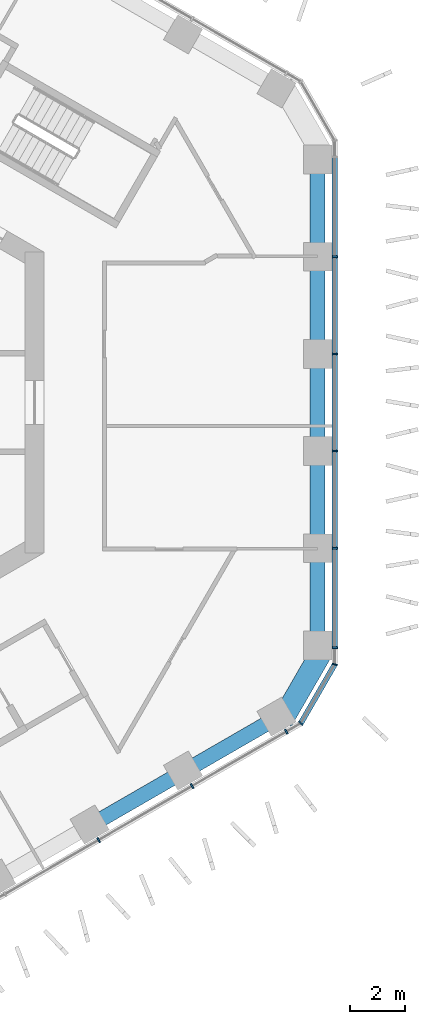
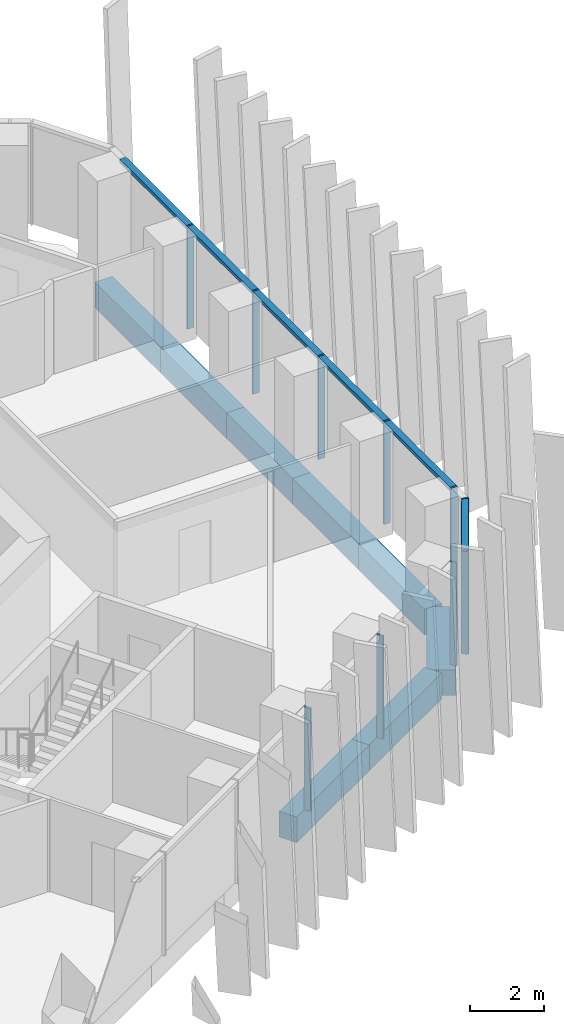
# One storey, part 5 of 19: 12 members, 8 beams, 3 elements without a shape of their own.
"""IFC4 building model written with IfcOpenShell, lengths in metres."""

from ifc_helpers import new_model, si_unit, direction, frame, origin, origin_2d, place, context, subcontext, project, spatial, rectangle, extrude, material, layer, layer_set, material_profile, profile_set, type_object, element, aggregate, save


model = new_model("IFC4")

# Units and contexts
model_context = context("Model", 3, precision=1e-05, world=origin(), true_north=direction((0.0, 1.0)))
body_context = subcontext(model_context, "Body", "Model", "MODEL_VIEW")
ifc_project = project(units=[si_unit("LENGTHUNIT", "METRE"), si_unit("AREAUNIT", "SQUARE_METRE"), si_unit("VOLUMEUNIT", "CUBIC_METRE"), si_unit("PLANEANGLEUNIT", "RADIAN"), si_unit("MASSUNIT", "GRAM", prefix="KILO")], contexts=[model_context])

# Site, building, storey
site_placement = place(None, origin())
site = spatial("IfcSite", under=ifc_project, at=site_placement, CompositionType="ELEMENT")
building_placement = place(site_placement, origin())
building = spatial("IfcBuilding", under=site, at=building_placement, Name="Ayvan Gate Tower", CompositionType="ELEMENT")
storey_placement = place(building_placement, frame((0.0, 0.0, 113.699951171875)))
storey = spatial("IfcBuildingStorey", under=building, at=storey_placement, Name="L30", CompositionType="ELEMENT", Elevation=113.699951171875)

# Beams
ifc_material_1 = material(Name="Concrete C40/50", Category="concrete")
ifc_material_profile_1 = material_profile(ifc_material_1, rectangle(XDim=0.800048828125, YDim=0.85009765625, at=origin_2d()), Name="RC 800x850")
ifc_profile_set_1 = profile_set([ifc_material_profile_1], Name="Concrete C40/50")
beam_type_1 = type_object("IfcBeamType", Name="Corner spandrel beam RC 800x850 C40/50", PredefinedType="BEAM", material=ifc_profile_set_1)
beam_1_placement = place(storey_placement, frame((18.176025390625, -11.625, -0.77490234375), z_axis=(0.499990139034, 0.866031096941, 0.0), x_axis=(-0.866031096941, 0.499990139034, 0.0)))
element("IfcBeam", 1, at=beam_1_placement, inside=storey, type_object=beam_type_1, Name="SB-L30-36", PredefinedType="BEAM", context=body_context, shape_type="SweptSolid", body=[
    extrude(rectangle(XDim=0.800048828125, YDim=0.85009765625, at=origin_2d()), origin(), (0.0, 0.0, 1.0), 3.0),
])
ifc_material_profile_2 = material_profile(ifc_material_1, rectangle(XDim=0.550048828125, YDim=0.85009765625, at=origin_2d()), Name="RC 550x850")
ifc_profile_set_2 = profile_set([ifc_material_profile_2], Name="Concrete C40/50")
beam_type_2 = type_object("IfcBeamType", Name="Spandrel beam RC 550x850 C40/50", PredefinedType="BEAM", material=ifc_profile_set_2)
for number, where, z_axis, x_axis, name in (
    (2, (19.485595703125, -8.916748046875, -0.77490234375), (0.0, 1.0, 0.0), (-1.0, 0.0, 0.0), "SB-L30-1"),
    (3, (19.485595703125, -5.35009765625, -0.77490234375), (0.0, 1.0, 0.0), (-1.0, 0.0, 0.0), "SB-L30-2"),
):
    element("IfcBeam", number, at=place(storey_placement, frame(where, z_axis=z_axis, x_axis=x_axis)), inside=storey, type_object=beam_type_2, Name=name, PredefinedType="BEAM", context=body_context, shape_type="SweptSolid", body=[
        extrude(rectangle(XDim=0.550048828125, YDim=0.85009765625, at=origin_2d()), origin(), (0.0, 0.0, 1.0), 3.566650390625),
    ])
beam_2_placement = place(storey_placement, frame((19.485595703125, -1.783447265625, -0.77490234375), z_axis=(0.0, 1.0, 0.0), x_axis=(-1.0, 0.0, 0.0)))
element("IfcBeam", 4, at=beam_2_placement, inside=storey, type_object=beam_type_2, Name="SB-L30-3", PredefinedType="BEAM", context=body_context, shape_type="SweptSolid", body=[
    extrude(rectangle(XDim=0.550048828125, YDim=0.85009765625, at=origin_2d()), origin(), (0.0, 0.0, 1.0), 3.56689453125),
])
for number, where, z_axis, x_axis, name in (
    (5, (19.485595703125, 1.783447265625, -0.77490234375), (0.0, 1.0, 0.0), (-1.0, 0.0, 0.0), "SB-L30-4"),
    (6, (19.485595703125, 5.35009765625, -0.77490234375), (0.0, 1.0, 0.0), (-1.0, 0.0, 0.0), "SB-L30-5"),
):
    element("IfcBeam", number, at=place(storey_placement, frame(where, z_axis=z_axis, x_axis=x_axis)), inside=storey, type_object=beam_type_2, Name=name, PredefinedType="BEAM", context=body_context, shape_type="SweptSolid", body=[
        extrude(rectangle(XDim=0.550048828125, YDim=0.85009765625, at=origin_2d()), origin(), (0.0, 0.0, 1.0), 3.566650390625),
    ])
for number, where, z_axis, x_axis, name in (
    (7, (11.18310546875, -15.4423828125, -0.77490234375), (0.866000277803, 0.500043516951, 0.0), (-0.500043516951, 0.866000277803, 0.0), "SB-L30-34"),
    (8, (14.584228515625, -13.478515625, -0.77490234375), (0.866042736469, 0.499969977708, 0.0), (-0.499969977708, 0.866042736469, 0.0), "SB-L30-35"),
):
    element("IfcBeam", number, at=place(storey_placement, frame(where, z_axis=z_axis, x_axis=x_axis)), inside=storey, type_object=beam_type_2, Name=name, PredefinedType="BEAM", context=body_context, shape_type="SweptSolid", body=[
        extrude(rectangle(XDim=0.550048828125, YDim=0.85009765625, at=origin_2d()), origin(), (0.0, 0.0, 1.0), 3.927490234375),
    ])

# Curtain wall, members
ifc_material_2 = material(Name="Bronze anodised aluminium", Category="aluminium")
ifc_layer_1 = layer(ifc_material_2, 0.199951171875)
ifc_layer_set_1 = layer_set([ifc_layer_1], Name="Bronze anodised aluminium")
curtain_wall_type_1 = type_object("IfcCurtainWallType", Name="Stick curtain wall CW-1", PredefinedType="NOTDEFINED", material=ifc_layer_set_1)
curtain_wall_1_placement = place(storey_placement, origin())
curtain_wall_1 = element("IfcCurtainWall", 9, at=curtain_wall_1_placement, inside=storey, type_object=curtain_wall_type_1, Name="Stick curtain wall CW-1 L30", PredefinedType="NOTDEFINED")
ifc_material_profile_3 = material_profile(ifc_material_2, rectangle(XDim=0.199951171875, YDim=0.06005859375, at=origin_2d()), Name="Stick curtain wall CW-1 mullion 200 x 60")
ifc_profile_set_3 = profile_set([ifc_material_profile_3], Name="Bronze anodised aluminium")
member_type_1 = type_object("IfcMemberType", Name="Stick curtain wall CW-1 mullion 200 x 60", PredefinedType="MULLION", material=ifc_profile_set_3)
member_1_placement = place(storey_placement, frame((11.492919921875, -15.969482421875, 0.0), z_axis=(0.0, 0.0, 1.0), x_axis=(0.5, -0.866025403784, 0.0)))
member_1 = element("IfcMember", 10, at=member_1_placement, type_object=member_type_1, Name="CW-1 mullion 4", PredefinedType="MULLION", context=body_context, shape_type="SweptSolid", body=[
    extrude(rectangle(XDim=0.199951171875, YDim=0.06005859375, at=origin_2d()), origin(), (0.0, 0.0, 1.0), 3.400146484375),
])
member_2_placement = place(storey_placement, frame((14.9033203125, -14.00048828125, 0.0), z_axis=(0.0, 0.0, 1.0), x_axis=(0.5, -0.866025403784, 0.0)))
member_2 = element("IfcMember", 11, at=member_2_placement, type_object=member_type_1, Name="CW-1 mullion 5", PredefinedType="MULLION", context=body_context, shape_type="SweptSolid", body=[
    extrude(rectangle(XDim=0.199951171875, YDim=0.06005859375, at=origin_2d()), origin(), (0.0, 0.0, 1.0), 3.400146484375),
])
member_3_placement = place(storey_placement, frame((18.34326171875, -12.014404296875, 0.0), z_axis=(0.0, 0.0, 1.0), x_axis=(0.5, -0.866025403784, 0.0)))
member_3 = element("IfcMember", 12, at=member_3_placement, type_object=member_type_1, Name="CW-1 mullion 6", PredefinedType="MULLION", context=body_context, shape_type="SweptSolid", body=[
    extrude(rectangle(XDim=0.199951171875, YDim=0.06005859375, at=origin_2d()), origin(), (0.0, 0.0, 1.0), 3.400146484375),
])
aggregate(curtain_wall_1, [member_1, member_2, member_3])

curtain_wall_2_placement = place(storey_placement, origin())
curtain_wall_2 = element("IfcCurtainWall", 13, at=curtain_wall_2_placement, inside=storey, type_object=curtain_wall_type_1, Name="Stick curtain wall CW-1 L30", PredefinedType="NOTDEFINED")
member_4_placement = place(storey_placement, frame((20.110595703125, -8.953369140625, 0.0), z_axis=(0.0, 0.0, 1.0), x_axis=(1.0, 0.0, 0.0)))
member_4 = element("IfcMember", 14, at=member_4_placement, type_object=member_type_1, Name="CW-1 mullion 1", PredefinedType="MULLION", context=body_context, shape_type="SweptSolid", body=[
    extrude(rectangle(XDim=0.199951171875, YDim=0.06005859375, at=origin_2d()), origin(), (0.0, 0.0, 1.0), 3.400146484375),
])
member_5_placement = place(storey_placement, frame((20.110595703125, -5.320556640625, 0.0), z_axis=(0.0, 0.0, 1.0), x_axis=(1.0, 0.0, 0.0)))
member_5 = element("IfcMember", 15, at=member_5_placement, type_object=member_type_1, Name="CW-1 mullion 2", PredefinedType="MULLION", context=body_context, shape_type="SweptSolid", body=[
    extrude(rectangle(XDim=0.199951171875, YDim=0.06005859375, at=origin_2d()), origin(), (0.0, 0.0, 1.0), 3.400146484375),
])
member_6_placement = place(storey_placement, frame((20.110595703125, -1.7734375, 0.0), z_axis=(0.0, 0.0, 1.0), x_axis=(1.0, 0.0, 0.0)))
member_6 = element("IfcMember", 16, at=member_6_placement, type_object=member_type_1, Name="CW-1 mullion 3", PredefinedType="MULLION", context=body_context, shape_type="SweptSolid", body=[
    extrude(rectangle(XDim=0.199951171875, YDim=0.06005859375, at=origin_2d()), origin(), (0.0, 0.0, 1.0), 3.400146484375),
])
member_7_placement = place(storey_placement, frame((20.110595703125, 1.7734375, 0.0), z_axis=(0.0, 0.0, 1.0), x_axis=(1.0, 0.0, 0.0)))
member_7 = element("IfcMember", 17, at=member_7_placement, type_object=member_type_1, Name="CW-1 mullion 4", PredefinedType="MULLION", context=body_context, shape_type="SweptSolid", body=[
    extrude(rectangle(XDim=0.199951171875, YDim=0.06005859375, at=origin_2d()), origin(), (0.0, 0.0, 1.0), 3.400146484375),
])
member_8_placement = place(storey_placement, frame((20.110595703125, 5.320556640625, 0.0), z_axis=(0.0, 0.0, 1.0), x_axis=(1.0, 0.0, 0.0)))
member_8 = element("IfcMember", 18, at=member_8_placement, type_object=member_type_1, Name="CW-1 mullion 5", PredefinedType="MULLION", context=body_context, shape_type="SweptSolid", body=[
    extrude(rectangle(XDim=0.199951171875, YDim=0.06005859375, at=origin_2d()), origin(), (0.0, 0.0, 1.0), 3.400146484375),
])
ifc_material_profile_4 = material_profile(ifc_material_2, rectangle(XDim=0.199951171875, YDim=0.1201171875, at=origin_2d()), Name="Stick curtain wall CW-1 transom 200 x 120")
ifc_profile_set_4 = profile_set([ifc_material_profile_4], Name="Bronze anodised aluminium")
member_type_2 = type_object("IfcMemberType", Name="Stick curtain wall CW-1 transom 200 x 120", PredefinedType="USERDEFINED", material=ifc_profile_set_4)
member_9_placement = place(storey_placement, frame((20.110595703125, -8.953369140625, 3.340087890625), z_axis=(0.0, 1.0, 0.0), x_axis=(-1.0, 0.0, 0.0)))
member_9 = element("IfcMember", 19, at=member_9_placement, type_object=member_type_2, Name="CW-1 transom 1", ObjectType="TRANSOM", PredefinedType="USERDEFINED", context=body_context, shape_type="SweptSolid", body=[
    extrude(rectangle(XDim=0.199951171875, YDim=0.1201171875, at=origin_2d()), origin(), (0.0, 0.0, 1.0), 17.90673828125),
])
aggregate(curtain_wall_2, [member_4, member_5, member_6, member_7, member_8, member_9])

ifc_layer_2 = layer(ifc_material_2, 0.199951171875)
ifc_layer_set_2 = layer_set([ifc_layer_2], Name="Bronze anodised aluminium")
curtain_wall_type_2 = type_object("IfcCurtainWallType", Name="Stick curtain wall CW-6", PredefinedType="NOTDEFINED", material=ifc_layer_set_2)
curtain_wall_3_placement = place(storey_placement, origin())
curtain_wall_3 = element("IfcCurtainWall", 20, at=curtain_wall_3_placement, inside=storey, type_object=curtain_wall_type_2, Name="Stick curtain wall CW-6 L30", PredefinedType="NOTDEFINED")
ifc_material_profile_5 = material_profile(ifc_material_2, rectangle(XDim=0.199951171875, YDim=0.050048828125, at=origin_2d()), Name="Stick curtain wall CW-6 mullion 200 x 50")
ifc_profile_set_5 = profile_set([ifc_material_profile_5], Name="Bronze anodised aluminium")
member_type_3 = type_object("IfcMemberType", Name="Stick curtain wall CW-6 mullion 200 x 50", PredefinedType="MULLION", material=ifc_profile_set_5)
member_10_placement = place(storey_placement, frame((18.8671875, -11.7119140625, 0.0), z_axis=(0.0, 0.0, 1.0), x_axis=(0.707106781187, -0.707106781187, 0.0)))
member_10 = element("IfcMember", 21, at=member_10_placement, type_object=member_type_3, Name="CW-6 mullion 2", PredefinedType="MULLION", context=body_context, shape_type="SweptSolid", body=[
    extrude(rectangle(XDim=0.199951171875, YDim=0.050048828125, at=origin_2d()), origin(), (0.0, 0.0, 1.0), 3.400146484375),
])
member_11_placement = place(storey_placement, frame((20.110595703125, -9.55859375, 0.0), z_axis=(0.0, 0.0, 1.0), x_axis=(0.965925826289, -0.258819045103, 0.0)))
member_11 = element("IfcMember", 22, at=member_11_placement, type_object=member_type_3, Name="CW-6 mullion 3", PredefinedType="MULLION", context=body_context, shape_type="SweptSolid", body=[
    extrude(rectangle(XDim=0.199951171875, YDim=0.050048828125, at=origin_2d()), origin(), (0.0, 0.0, 1.0), 3.400146484375),
])
ifc_material_profile_6 = material_profile(ifc_material_2, rectangle(XDim=0.199951171875, YDim=0.1201171875, at=origin_2d()), Name="Stick curtain wall CW-6 transom 200 x 120")
ifc_profile_set_6 = profile_set([ifc_material_profile_6], Name="Bronze anodised aluminium")
member_type_4 = type_object("IfcMemberType", Name="Stick curtain wall CW-6 transom 200 x 120", PredefinedType="USERDEFINED", material=ifc_profile_set_6)
member_12_placement = place(storey_placement, frame((18.8798828125, -11.690185546875, 3.340087890625), z_axis=(0.499997116, 0.866027068856, 0.0), x_axis=(-0.866027068856, 0.499997116, 0.0)))
member_12 = element("IfcMember", 23, at=member_12_placement, type_object=member_type_4, Name="CW-6 transom 2", ObjectType="TRANSOM", PredefinedType="USERDEFINED", context=body_context, shape_type="SweptSolid", body=[
    extrude(rectangle(XDim=0.199951171875, YDim=0.1201171875, at=origin_2d()), origin(), (0.0, 0.0, 1.0), 2.4365234375),
])
aggregate(curtain_wall_3, [member_10, member_11, member_12])

save(model, "model.ifc")
